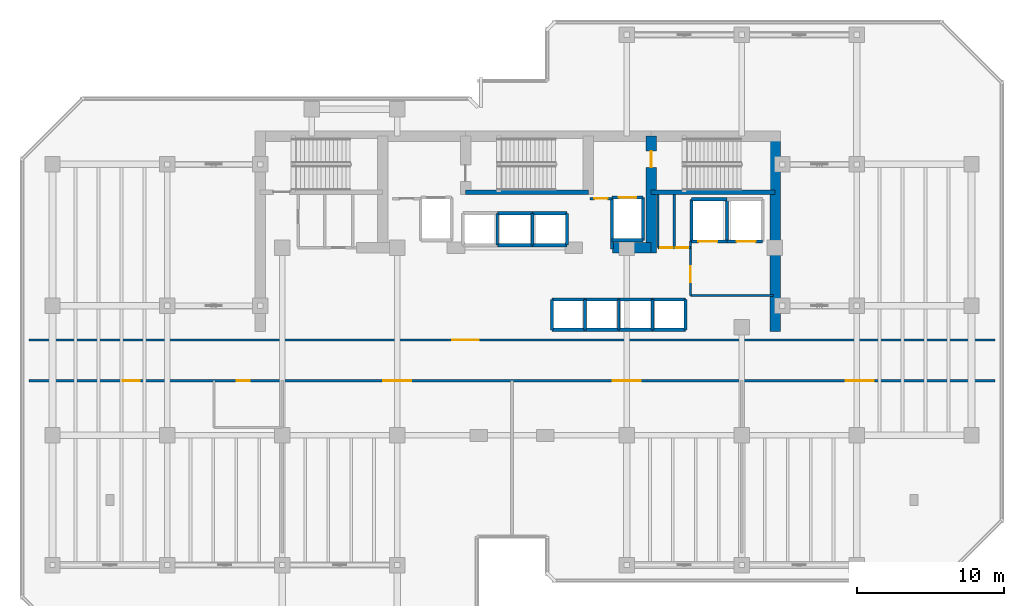
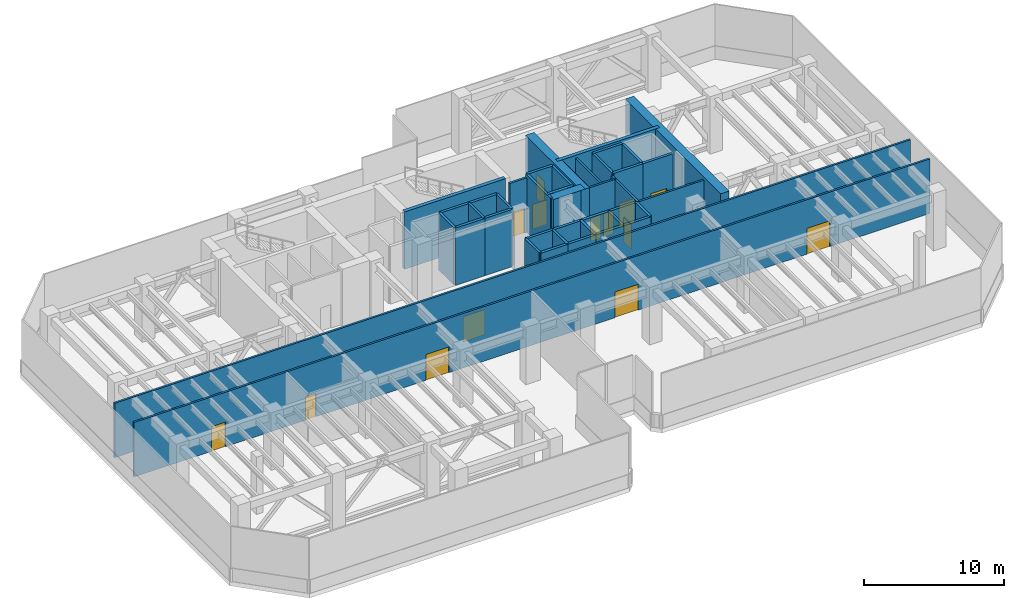
# One storey, part 5 of 10: 42 walls, 14 doors, 14 openings.
"""IFC4 building model written with IfcOpenShell, lengths in metres."""

from ifc_helpers import new_model, si_unit, direction, frame, frame_2d, origin, place, context, subcontext, project, spatial, rectangle, extrude, material, layer, layer_set, type_object, element, fill, save


model = new_model("IFC4")

# Units and contexts
model_context = context("Model", 3, precision=1e-05, world=origin(), true_north=direction((0.0, 1.0)))
body_context = subcontext(model_context, "Body", "Model", "MODEL_VIEW")
ifc_project = project(units=[si_unit("LENGTHUNIT", "METRE"), si_unit("AREAUNIT", "SQUARE_METRE"), si_unit("VOLUMEUNIT", "CUBIC_METRE"), si_unit("PLANEANGLEUNIT", "RADIAN"), si_unit("MASSUNIT", "GRAM", prefix="KILO")], contexts=[model_context])

# Site, building, storey
site_placement = place(None, origin())
site = spatial("IfcSite", under=ifc_project, at=site_placement, CompositionType="ELEMENT")
building_placement = place(site_placement, origin())
building = spatial("IfcBuilding", under=site, at=building_placement, Name="Kestravale Grand Hotel", CompositionType="ELEMENT")
storey_placement = place(building_placement, frame((0.0, 0.0, 184.0)))
storey = spatial("IfcBuildingStorey", under=building, at=storey_placement, Name="L46", CompositionType="ELEMENT", Elevation=184.0)

# Walls
ifc_material_1 = material(Name="Concrete f'c 60 MPa", Category="concrete")
ifc_layer_1 = layer(ifc_material_1, 0.699951171875)
ifc_layer_set_1 = layer_set([ifc_layer_1], Name="EW-CORE-700")
wall_type_1 = type_object("IfcWallType", Name="EW-CORE-700", PredefinedType="SHEAR", material=ifc_layer_set_1)
wall_1_placement = place(storey_placement, frame((56.8701171875, 27.050048828125, 0.0), z_axis=(0.0, 0.0, 1.0), x_axis=(0.0, 1.0, 0.0)))
element("IfcWall", 1, at=wall_1_placement, inside=storey, type_object=wall_type_1, Name="L46 core shear wall E1", PredefinedType="SHEAR", context=body_context, shape_type="SweptSolid", body=[
    extrude(rectangle(XDim=13.619873046875, YDim=0.699951171875, at=frame_2d((6.81005859375, 0.0))), origin(), (0.0, 0.0, 1.0), 5.0),
])
wall_2_placement = place(storey_placement, frame((45.81005859375, 32.75, 0.0), z_axis=(0.0, 0.0, 1.0), x_axis=(1.0, 0.0, 0.0)))
element("IfcWall", 2, at=wall_2_placement, inside=storey, type_object=wall_type_1, Name="L46 core shear wall S2", PredefinedType="SHEAR", context=body_context, shape_type="SweptSolid", body=[
    extrude(rectangle(XDim=2.639892578125, YDim=0.699951171875, at=frame_2d((1.31982421875, 0.0))), origin(), (0.0, 0.0, 1.0), 5.0),
])

# Wall, opening, door
wall_3_placement = place(storey_placement, frame((48.449951171875, 32.39990234375, 0.0), z_axis=(0.0, 0.0, 1.0), x_axis=(0.0, 1.0, 0.0)))
wall_3 = element("IfcWall", 3, at=wall_3_placement, inside=storey, type_object=wall_type_1, Name="L46 core shear wall X4", PredefinedType="SHEAR", context=body_context, shape_type="SweptSolid", body=[
    extrude(rectangle(XDim=7.920166015625, YDim=0.699951171875, at=frame_2d((3.9599609375, 0.0))), origin(), (0.0, 0.0, 1.0), 5.0),
])
opening_1_placement = place(wall_3_placement, frame((5.800048828125, 0.0, 0.0)))
opening_1 = element("IfcOpeningElement", 4, at=opening_1_placement, cuts=wall_3, Name="Opening D-ST-1100", PredefinedType="OPENING", context=body_context, shape_type="SweptSolid", body=[
    extrude(rectangle(XDim=1.10009765625, YDim=2.14990234375, at=frame_2d((0.550048828125, 1.074951171875))), frame((0.0, 0.35986328125, 0.0), z_axis=(0.0, -1.0, 0.0), x_axis=(1.0, 0.0, 0.0)), (0.0, 0.0, 1.0), 0.719970703125),
])
ifc_material_2 = material(Name="Galvanised 90-minute fire-rated steel stair door", Category="steel")
door_type_1 = type_object("IfcDoorType", Name="D-ST-1100", OperationType="NOTDEFINED", PredefinedType="DOOR", material=ifc_material_2)
door_1_placement = place(opening_1_placement, origin())
door_1 = element("IfcDoor", 5, at=door_1_placement, inside=storey, type_object=door_type_1, Name="L46 Stair ST-3 FSAE fire door", OperationType="SINGLE_SWING_RIGHT", OverallHeight=2.14990234375, OverallWidth=1.10009765625, PredefinedType="DOOR", context=body_context, shape_type="SweptSolid", body=[
    extrude(rectangle(XDim=1.10009765625, YDim=2.14990234375, at=frame_2d((0.550048828125, 1.074951171875))), frame((0.0, 0.02490234375, 0.0), z_axis=(0.0, -1.0, 0.0), x_axis=(1.0, 0.0, 0.0)), (0.0, 0.0, 1.0), 0.050048828125),
])
fill(opening_1, door_1)

# Walls
ifc_material_3 = material(Name="Concrete f'c 45 MPa", Category="concrete")
ifc_layer_2 = layer(ifc_material_3, 0.300048828125)
ifc_layer_set_2 = layer_set([ifc_layer_2], Name="EW-STAIR-300")
wall_type_2 = type_object("IfcWallType", Name="EW-STAIR-300", PredefinedType="SHEAR", material=ifc_layer_set_2)
wall_4_placement = place(storey_placement, frame((35.85009765625, 36.52001953125, 0.0), z_axis=(0.0, 0.0, 1.0), x_axis=(1.0, 0.0, 0.0)))
element("IfcWall", 6, at=wall_4_placement, inside=storey, type_object=wall_type_2, Name="L46 stair enclosure shear wall SST2", PredefinedType="SHEAR", context=body_context, shape_type="SweptSolid", body=[
    extrude(rectangle(XDim=8.329833984375, YDim=0.300048828125, at=frame_2d((4.1650390625, 0.0))), origin(), (0.0, 0.0, 1.0), 5.0),
])
wall_5_placement = place(storey_placement, frame((48.449951171875, 36.52001953125, 0.0), z_axis=(0.0, 0.0, 1.0), x_axis=(1.0, 0.0, 0.0)))
element("IfcWall", 7, at=wall_5_placement, inside=storey, type_object=wall_type_2, Name="L46 stair enclosure shear wall SST3", PredefinedType="SHEAR", context=body_context, shape_type="SweptSolid", body=[
    extrude(rectangle(XDim=8.420166015625, YDim=0.300048828125, at=frame_2d((4.2099609375, 0.0))), origin(), (0.0, 0.0, 1.0), 5.0),
])

# Wall, opening, door
ifc_material_4 = material(Name="Acoustic fire-rated gypsum board partition", Category="other")
ifc_layer_3 = layer(ifc_material_4, 0.159912109375)
ifc_layer_set_3 = layer_set([ifc_layer_3], Name="IW-CORR-160")
wall_type_3 = type_object("IfcWallType", Name="IW-CORR-160", PredefinedType="PARTITIONING", material=ifc_layer_set_3)
wall_6_placement = place(storey_placement, frame((51.1201171875, 29.5, 0.0), z_axis=(0.0, 0.0, 1.0), x_axis=(0.0, 1.0, 0.0)))
wall_6 = element("IfcWall", 8, at=wall_6_placement, inside=storey, type_object=wall_type_3, Name="W-L46-SVCLOB-W", PredefinedType="PARTITIONING", context=body_context, shape_type="SweptSolid", body=[
    extrude(rectangle(XDim=3.699951171875, YDim=0.159912109375, at=frame_2d((1.85009765625, 0.0))), origin(), (0.0, 0.0, 1.0), 4.75),
])
opening_2_placement = place(wall_6_placement, frame((0.89990234375, 0.0, 0.0)))
opening_2 = element("IfcOpeningElement", 9, at=opening_2_placement, cuts=wall_6, Name="Opening D-CORR-1100", PredefinedType="OPENING", context=body_context, shape_type="SweptSolid", body=[
    extrude(rectangle(XDim=1.10009765625, YDim=2.14990234375, at=frame_2d((0.550048828125, 1.074951171875))), frame((0.0, 0.08984375, 0.0), z_axis=(0.0, -1.0, 0.0), x_axis=(1.0, 0.0, 0.0)), (0.0, 0.0, 1.0), 0.179931640625),
])
ifc_material_5 = material(Name="Single-leaf service vestibule fire door", Category="steel")
door_type_2 = type_object("IfcDoorType", Name="D-CORR-1100", OperationType="NOTDEFINED", PredefinedType="DOOR", material=ifc_material_5)
door_2_placement = place(opening_2_placement, origin())
door_2 = element("IfcDoor", 10, at=door_2_placement, inside=storey, type_object=door_type_2, Name="L46 service lift lobby door", OperationType="SINGLE_SWING_LEFT", OverallHeight=2.14990234375, OverallWidth=1.10009765625, PredefinedType="DOOR", context=body_context, shape_type="SweptSolid", body=[
    extrude(rectangle(XDim=1.10009765625, YDim=2.14990234375, at=frame_2d((0.550048828125, 1.074951171875))), frame((0.0, 0.02490234375, 0.0), z_axis=(0.0, -1.0, 0.0), x_axis=(1.0, 0.0, 0.0)), (0.0, 0.0, 1.0), 0.050048828125),
])
fill(opening_2, door_2)

# Wall
wall_7_placement = place(storey_placement, frame((51.1201171875, 29.5, 0.0), z_axis=(0.0, 0.0, 1.0), x_axis=(1.0, 0.0, 0.0)))
element("IfcWall", 11, at=wall_7_placement, inside=storey, type_object=wall_type_3, Name="L46 service lift lobby wall", PredefinedType="PARTITIONING", context=body_context, shape_type="SweptSolid", body=[
    extrude(rectangle(XDim=5.6298828125, YDim=0.159912109375, at=frame_2d((2.81494140625, 0.0))), origin(), (0.0, 0.0, 1.0), 4.75),
])

# Wall, openings, doors
wall_8_placement = place(storey_placement, frame((48.919921875, 32.75, 0.0), z_axis=(0.0, 0.0, 1.0), x_axis=(1.0, 0.0, 0.0)))
wall_8 = element("IfcWall", 12, at=wall_8_placement, inside=storey, type_object=wall_type_3, Name="W-L46-CES", PredefinedType="PARTITIONING", context=body_context, shape_type="SweptSolid", body=[
    extrude(rectangle(XDim=2.2001953125, YDim=0.159912109375, at=frame_2d((1.10009765625, 0.0))), origin(), (0.0, 0.0, 1.0), 4.75),
])
opening_3_placement = place(wall_8_placement, frame((0.139892578125, 0.0, 0.0)))
opening_3 = element("IfcOpeningElement", 13, at=opening_3_placement, cuts=wall_8, Name="Opening D-SH-860", PredefinedType="OPENING", context=body_context, shape_type="SweptSolid", body=[
    extrude(rectangle(XDim=0.860107421875, YDim=2.050048828125, at=frame_2d((0.43017578125, 1.02490234375))), frame((0.0, 0.08984375, 0.0), z_axis=(0.0, -1.0, 0.0), x_axis=(1.0, 0.0, 0.0)), (0.0, 0.0, 1.0), 0.179931640625),
])
opening_4_placement = place(wall_8_placement, frame((1.199951171875, 0.0, 0.0)))
opening_4 = element("IfcOpeningElement", 14, at=opening_4_placement, cuts=wall_8, Name="Opening D-SH-860", PredefinedType="OPENING", context=body_context, shape_type="SweptSolid", body=[
    extrude(rectangle(XDim=0.860107421875, YDim=2.050048828125, at=frame_2d((0.43017578125, 1.02490234375))), frame((0.0, 0.08984375, 0.0), z_axis=(0.0, -1.0, 0.0), x_axis=(1.0, 0.0, 0.0)), (0.0, 0.0, 1.0), 0.179931640625),
])
ifc_material_6 = material(Name="Galvanised 90-minute riser fire door", Category="steel")
door_type_3 = type_object("IfcDoorType", Name="D-SH-860", OperationType="NOTDEFINED", PredefinedType="DOOR", material=ifc_material_6)
door_3_placement = place(opening_3_placement, origin())
door_3 = element("IfcDoor", 15, at=door_3_placement, inside=storey, type_object=door_type_3, Name="L46 CSTO1 door", OperationType="SINGLE_SWING_LEFT", OverallHeight=2.050048828125, OverallWidth=0.860107421875, PredefinedType="DOOR", context=body_context, shape_type="SweptSolid", body=[
    extrude(rectangle(XDim=0.860107421875, YDim=2.050048828125, at=frame_2d((0.43017578125, 1.02490234375))), frame((0.0, 0.02490234375, 0.0), z_axis=(0.0, -1.0, 0.0), x_axis=(1.0, 0.0, 0.0)), (0.0, 0.0, 1.0), 0.050048828125),
])
fill(opening_3, door_3)
door_4_placement = place(opening_4_placement, origin())
door_4 = element("IfcDoor", 16, at=door_4_placement, inside=storey, type_object=door_type_3, Name="L46 CSTO2 door", OperationType="SINGLE_SWING_RIGHT", OverallHeight=2.050048828125, OverallWidth=0.860107421875, PredefinedType="DOOR", context=body_context, shape_type="SweptSolid", body=[
    extrude(rectangle(XDim=0.860107421875, YDim=2.050048828125, at=frame_2d((0.43017578125, 1.02490234375))), frame((0.0, 0.02490234375, 0.0), z_axis=(0.0, -1.0, 0.0), x_axis=(1.0, 0.0, 0.0)), (0.0, 0.0, 1.0), 0.050048828125),
])
fill(opening_4, door_4)

wall_9_placement = place(storey_placement, frame((6.199951171875, 23.719970703125, 0.0), z_axis=(0.0, 0.0, 1.0), x_axis=(1.0, 0.0, 0.0)))
wall_9 = element("IfcWall", 17, at=wall_9_placement, inside=storey, type_object=wall_type_3, Name="W-L46-PC-S", PredefinedType="PARTITIONING", context=body_context, shape_type="SweptSolid", body=[
    extrude(rectangle(XDim=65.60009765625, YDim=0.159912109375, at=frame_2d((32.800048828125, 0.0))), origin(), (0.0, 0.0, 1.0), 4.75),
])
opening_5_placement = place(wall_9_placement, frame((14.110107421875, 0.0, 0.0)))
opening_5 = element("IfcOpeningElement", 18, at=opening_5_placement, cuts=wall_9, Name="Opening D-BATH-880", PredefinedType="OPENING", context=body_context, shape_type="SweptSolid", body=[
    extrude(rectangle(XDim=0.8798828125, YDim=2.050048828125, at=frame_2d((0.43994140625, 1.02490234375))), frame((0.0, 0.08984375, 0.0), z_axis=(0.0, -1.0, 0.0), x_axis=(1.0, 0.0, 0.0)), (0.0, 0.0, 1.0), 0.179931640625),
])
opening_6_placement = place(wall_9_placement, frame((6.375, 0.0, 0.0)))
opening_6 = element("IfcOpeningElement", 19, at=opening_6_placement, cuts=wall_9, Name="Opening D-FSAE-1150", PredefinedType="OPENING", context=body_context, shape_type="SweptSolid", body=[
    extrude(rectangle(XDim=1.14990234375, YDim=2.14990234375, at=frame_2d((0.574951171875, 1.074951171875))), frame((0.0, 0.08984375, 0.0), z_axis=(0.0, -1.0, 0.0), x_axis=(1.0, 0.0, 0.0)), (0.0, 0.0, 1.0), 0.179931640625),
])
opening_7_placement = place(wall_9_placement, frame((24.050048828125, 0.0, 0.0)))
opening_7 = element("IfcOpeningElement", 20, at=opening_7_placement, cuts=wall_9, Name="Opening D-PLT-1900", PredefinedType="OPENING", context=body_context, shape_type="SweptSolid", body=[
    extrude(rectangle(XDim=1.89990234375, YDim=2.25, at=frame_2d((0.949951171875, 1.125))), frame((0.0, 0.08984375, 0.0), z_axis=(0.0, -1.0, 0.0), x_axis=(1.0, 0.0, 0.0)), (0.0, 0.0, 1.0), 0.179931640625),
])
opening_8_placement = place(wall_9_placement, frame((39.64990234375, 0.0, 0.0)))
opening_8 = element("IfcOpeningElement", 21, at=opening_8_placement, cuts=wall_9, Name="Opening D-PLT-1900", PredefinedType="OPENING", context=body_context, shape_type="SweptSolid", body=[
    extrude(rectangle(XDim=1.89990234375, YDim=2.25, at=frame_2d((0.949951171875, 1.125))), frame((0.0, 0.08984375, 0.0), z_axis=(0.0, -1.0, 0.0), x_axis=(1.0, 0.0, 0.0)), (0.0, 0.0, 1.0), 0.179931640625),
])
opening_9_placement = place(wall_9_placement, frame((55.449951171875, 0.0, 0.0)))
opening_9 = element("IfcOpeningElement", 22, at=opening_9_placement, cuts=wall_9, Name="Opening D-PLT-1900", PredefinedType="OPENING", context=body_context, shape_type="SweptSolid", body=[
    extrude(rectangle(XDim=1.89990234375, YDim=2.25, at=frame_2d((0.949951171875, 1.125))), frame((0.0, 0.08984375, 0.0), z_axis=(0.0, -1.0, 0.0), x_axis=(1.0, 0.0, 0.0)), (0.0, 0.0, 1.0), 0.179931640625),
])
ifc_material_7 = material(Name="Moisture-sealed walnut en-suite bathroom door", Category="wood")
door_type_4 = type_object("IfcDoorType", Name="D-BATH-880", OperationType="NOTDEFINED", PredefinedType="DOOR", material=ifc_material_7)
door_5_placement = place(opening_5_placement, origin())
door_5 = element("IfcDoor", 23, at=door_5_placement, inside=storey, type_object=door_type_4, Name="D-L46-RWC", OperationType="SINGLE_SWING_RIGHT", OverallHeight=2.050048828125, OverallWidth=0.8798828125, PredefinedType="DOOR", context=body_context, shape_type="SweptSolid", body=[
    extrude(rectangle(XDim=0.8798828125, YDim=2.050048828125, at=frame_2d((0.43994140625, 1.02490234375))), frame((0.0, 0.02490234375, 0.0), z_axis=(0.0, -1.0, 0.0), x_axis=(1.0, 0.0, 0.0)), (0.0, 0.0, 1.0), 0.050048828125),
])
fill(opening_5, door_5)
ifc_material_8 = material(Name="Smoke-gasketed FSAE lobby fire door", Category="steel")
door_type_5 = type_object("IfcDoorType", Name="D-FSAE-1150", OperationType="NOTDEFINED", PredefinedType="DOOR", material=ifc_material_8)
door_6_placement = place(opening_6_placement, origin())
door_6 = element("IfcDoor", 24, at=door_6_placement, inside=storey, type_object=door_type_5, Name="D-L46-REFUGE", OperationType="SINGLE_SWING_LEFT", OverallHeight=2.14990234375, OverallWidth=1.14990234375, PredefinedType="DOOR", context=body_context, shape_type="SweptSolid", body=[
    extrude(rectangle(XDim=1.14990234375, YDim=2.14990234375, at=frame_2d((0.574951171875, 1.074951171875))), frame((0.0, 0.02490234375, 0.0), z_axis=(0.0, -1.0, 0.0), x_axis=(1.0, 0.0, 0.0)), (0.0, 0.0, 1.0), 0.050048828125),
])
fill(opening_6, door_6)
ifc_material_9 = material(Name="Heavy-duty double plant room fire door", Category="steel")
door_type_6 = type_object("IfcDoorType", Name="D-PLT-1900", OperationType="NOTDEFINED", PredefinedType="DOOR", material=ifc_material_9)
door_7_placement = place(opening_7_placement, origin())
door_7 = element("IfcDoor", 25, at=door_7_placement, inside=storey, type_object=door_type_6, Name="D-L46-AHU", OperationType="DOUBLE_DOOR_SINGLE_SWING", OverallHeight=2.25, OverallWidth=1.89990234375, PredefinedType="DOOR", context=body_context, shape_type="SweptSolid", body=[
    extrude(rectangle(XDim=1.89990234375, YDim=2.25, at=frame_2d((0.949951171875, 1.125))), frame((0.0, 0.02490234375, 0.0), z_axis=(0.0, -1.0, 0.0), x_axis=(1.0, 0.0, 0.0)), (0.0, 0.0, 1.0), 0.050048828125),
])
fill(opening_7, door_7)
door_8_placement = place(opening_8_placement, origin())
door_8 = element("IfcDoor", 26, at=door_8_placement, inside=storey, type_object=door_type_6, Name="D-L46-HEX", OperationType="DOUBLE_DOOR_SINGLE_SWING", OverallHeight=2.25, OverallWidth=1.89990234375, PredefinedType="DOOR", context=body_context, shape_type="SweptSolid", body=[
    extrude(rectangle(XDim=1.89990234375, YDim=2.25, at=frame_2d((0.949951171875, 1.125))), frame((0.0, 0.02490234375, 0.0), z_axis=(0.0, -1.0, 0.0), x_axis=(1.0, 0.0, 0.0)), (0.0, 0.0, 1.0), 0.050048828125),
])
fill(opening_8, door_8)
door_9_placement = place(opening_9_placement, origin())
door_9 = element("IfcDoor", 27, at=door_9_placement, inside=storey, type_object=door_type_6, Name="D-L46-SUB", OperationType="DOUBLE_DOOR_SINGLE_SWING", OverallHeight=2.25, OverallWidth=1.89990234375, PredefinedType="DOOR", context=body_context, shape_type="SweptSolid", body=[
    extrude(rectangle(XDim=1.89990234375, YDim=2.25, at=frame_2d((0.949951171875, 1.125))), frame((0.0, 0.02490234375, 0.0), z_axis=(0.0, -1.0, 0.0), x_axis=(1.0, 0.0, 0.0)), (0.0, 0.0, 1.0), 0.050048828125),
])
fill(opening_9, door_9)

# Wall, opening, door
wall_10_placement = place(storey_placement, frame((6.199951171875, 26.47998046875, 0.0), z_axis=(0.0, 0.0, 1.0), x_axis=(1.0, 0.0, 0.0)))
wall_10 = element("IfcWall", 28, at=wall_10_placement, inside=storey, type_object=wall_type_3, Name="W-L46-PC-N", PredefinedType="PARTITIONING", context=body_context, shape_type="SweptSolid", body=[
    extrude(rectangle(XDim=65.60009765625, YDim=0.159912109375, at=frame_2d((32.800048828125, 0.0))), origin(), (0.0, 0.0, 1.0), 4.75),
])
opening_10_placement = place(wall_10_placement, frame((28.75390625, 0.0, 0.0)))
opening_10 = element("IfcOpeningElement", 29, at=opening_10_placement, cuts=wall_10, Name="Opening D-CORR-1800", PredefinedType="OPENING", context=body_context, shape_type="SweptSolid", body=[
    extrude(rectangle(XDim=1.800048828125, YDim=2.199951171875, at=frame_2d((0.89990234375, 1.10009765625))), frame((0.0, 0.08984375, 0.0), z_axis=(0.0, -1.0, 0.0), x_axis=(1.0, 0.0, 0.0)), (0.0, 0.0, 1.0), 0.179931640625),
])
ifc_material_10 = material(Name="Double-leaf glazed bronze acoustic corridor fire door", Category="aluminium")
door_type_7 = type_object("IfcDoorType", Name="D-CORR-1800", OperationType="NOTDEFINED", PredefinedType="DOOR", material=ifc_material_10)
door_10_placement = place(opening_10_placement, origin())
door_10 = element("IfcDoor", 30, at=door_10_placement, inside=storey, type_object=door_type_7, Name="D-L46-PC-LFT", OperationType="DOUBLE_DOOR_SINGLE_SWING", OverallHeight=2.199951171875, OverallWidth=1.800048828125, PredefinedType="DOOR", context=body_context, shape_type="SweptSolid", body=[
    extrude(rectangle(XDim=1.800048828125, YDim=2.199951171875, at=frame_2d((0.89990234375, 1.10009765625))), frame((0.0, 0.02490234375, 0.0), z_axis=(0.0, -1.0, 0.0), x_axis=(1.0, 0.0, 0.0)), (0.0, 0.0, 1.0), 0.050048828125),
])
fill(opening_10, door_10)

ifc_material_11 = material(Name="Fire-rated gypsum board on steel studs with mineral wool", Category="steel")
ifc_layer_4 = layer(ifc_material_11, 0.179931640625)
ifc_layer_set_4 = layer_set([ifc_layer_4], Name="IW-FSAE-180")
wall_type_4 = type_object("IfcWallType", Name="IW-FSAE-180", PredefinedType="PARTITIONING", material=ifc_layer_set_4)
wall_11_placement = place(storey_placement, frame((44.300048828125, 36.080078125, 0.0), z_axis=(0.0, 0.0, 1.0), x_axis=(1.0, 0.0, 0.0)))
wall_11 = element("IfcWall", 31, at=wall_11_placement, inside=storey, type_object=wall_type_4, Name="L46 FSAE Lobby 2 smoke barrier", PredefinedType="PARTITIONING", context=body_context, shape_type="SweptSolid", body=[
    extrude(rectangle(XDim=1.5, YDim=0.179931640625, at=frame_2d((0.75, 0.0))), origin(), (0.0, 0.0, 1.0), 4.75),
])
opening_11_placement = place(wall_11_placement, frame((0.300048828125, 0.0, 0.0)))
opening_11 = element("IfcOpeningElement", 32, at=opening_11_placement, cuts=wall_11, Name="Opening D-FSAE-1000", PredefinedType="OPENING", context=body_context, shape_type="SweptSolid", body=[
    extrude(rectangle(XDim=0.89990234375, YDim=2.14990234375, at=frame_2d((0.449951171875, 1.074951171875))), frame((0.0, 0.099853515625, 0.0), z_axis=(0.0, -1.0, 0.0), x_axis=(1.0, 0.0, 0.0)), (0.0, 0.0, 1.0), 0.199951171875),
])
ifc_material_12 = material(Name="Smoke-gasketed FSAE lobby fire door", Category="steel")
door_type_8 = type_object("IfcDoorType", Name="D-FSAE-1000", OperationType="NOTDEFINED", PredefinedType="DOOR", material=ifc_material_12)
door_11_placement = place(opening_11_placement, origin())
door_11 = element("IfcDoor", 33, at=door_11_placement, inside=storey, type_object=door_type_8, Name="L46 FSAE Lobby 2 fire door", OperationType="SINGLE_SWING_LEFT", OverallHeight=2.14990234375, OverallWidth=0.89990234375, PredefinedType="DOOR", context=body_context, shape_type="SweptSolid", body=[
    extrude(rectangle(XDim=0.89990234375, YDim=2.14990234375, at=frame_2d((0.449951171875, 1.074951171875))), frame((0.0, 0.02490234375, 0.0), z_axis=(0.0, -1.0, 0.0), x_axis=(1.0, 0.0, 0.0)), (0.0, 0.0, 1.0), 0.050048828125),
])
fill(opening_11, door_11)

# Walls
ifc_material_13 = material(Name="Concrete f'c 45 MPa", Category="concrete")
ifc_layer_5 = layer(ifc_material_13, 0.199951171875)
ifc_layer_set_5 = layer_set([ifc_layer_5], Name="IW-SHAFT-200")
wall_type_5 = type_object("IfcWallType", Name="IW-SHAFT-200", PredefinedType="SHEAR", material=ifc_layer_set_5)
for number, where, z_axis, x_axis, name in (
    (34, (41.705078125, 27.169921875, 0.0), (0.0, 0.0, 1.0), (0.0, 1.0, 0.0), "L46 PL-M1 west shaft wall"),
    (35, (43.949951171875, 27.169921875, 0.0), (0.0, 0.0, 1.0), (0.0, 1.0, 0.0), "L46 PL-M2 west shaft wall"),
    (36, (46.25, 27.169921875, 0.0), (0.0, 0.0, 1.0), (0.0, 1.0, 0.0), "L46 PL-M3 west shaft wall"),
    (37, (48.550048828125, 27.169921875, 0.0), (0.0, 0.0, 1.0), (0.0, 1.0, 0.0), "L46 PL-M4 west shaft wall"),
    (38, (50.794921875, 27.169921875, 0.0), (0.0, 0.0, 1.0), (0.0, 1.0, 0.0), "L46 PL-M4 east shaft wall"),
):
    element("IfcWall", number, at=place(storey_placement, frame(where, z_axis=z_axis, x_axis=x_axis)), inside=storey, type_object=wall_type_5, Name=name, PredefinedType="SHEAR", context=body_context, shape_type="SweptSolid", body=[
        extrude(rectangle(XDim=2.06005859375, YDim=0.199951171875, at=frame_2d((1.030029296875, 0.0))), origin(), (0.0, 0.0, 1.0), 5.0),
    ])
for number, where, z_axis, x_axis, name in (
    (39, (38.0, 32.919921875, 0.0), (0.0, 0.0, 1.0), (0.0, 1.0, 0.0), "L46 PL-X2 west shaft wall"),
    (40, (40.39990234375, 32.919921875, 0.0), (0.0, 0.0, 1.0), (0.0, 1.0, 0.0), "L46 PL-X3 west shaft wall"),
    (41, (42.719970703125, 32.919921875, 0.0), (0.0, 0.0, 1.0), (0.0, 1.0, 0.0), "L46 PL-X3 east shaft wall"),
):
    element("IfcWall", number, at=place(storey_placement, frame(where, z_axis=z_axis, x_axis=x_axis)), inside=storey, type_object=wall_type_5, Name=name, PredefinedType="SHEAR", context=body_context, shape_type="SweptSolid", body=[
        extrude(rectangle(XDim=2.16015625, YDim=0.199951171875, at=frame_2d((1.080078125, 0.0))), origin(), (0.0, 0.0, 1.0), 5.0),
    ])
for number, where, z_axis, x_axis, name in (
    (42, (51.179931640625, 33.169921875, 0.0), (0.0, 0.0, 1.0), (0.0, 1.0, 0.0), "L46 SL-1 west shaft wall"),
    (43, (53.60009765625, 33.169921875, 0.0), (0.0, 0.0, 1.0), (0.0, 1.0, 0.0), "L46 SL-2 west shaft wall"),
):
    element("IfcWall", number, at=place(storey_placement, frame(where, z_axis=z_axis, x_axis=x_axis)), inside=storey, type_object=wall_type_5, Name=name, PredefinedType="SHEAR", context=body_context, shape_type="SweptSolid", body=[
        extrude(rectangle(XDim=2.860107421875, YDim=0.199951171875, at=frame_2d((1.43017578125, 0.0))), origin(), (0.0, 0.0, 1.0), 5.0),
    ])
wall_12_placement = place(storey_placement, frame((45.804931640625, 32.64990234375, 0.0), z_axis=(0.0, 0.0, 1.0), x_axis=(0.0, 1.0, 0.0)))
element("IfcWall", 44, at=wall_12_placement, inside=storey, type_object=wall_type_5, Name="L46 FL-2 west shaft wall", PredefinedType="SHEAR", context=body_context, shape_type="SweptSolid", body=[
    extrude(rectangle(XDim=3.505126953125, YDim=0.199951171875, at=frame_2d((1.75244140625, 0.0))), origin(), (0.0, 0.0, 1.0), 5.0),
])
wall_13_placement = place(storey_placement, frame((47.89501953125, 33.2451171875, 0.0), z_axis=(0.0, 0.0, 1.0), x_axis=(0.0, 1.0, 0.0)))
element("IfcWall", 45, at=wall_13_placement, inside=storey, type_object=wall_type_5, Name="L46 FL-2 east shaft wall", PredefinedType="SHEAR", context=body_context, shape_type="SweptSolid", body=[
    extrude(rectangle(XDim=2.909912109375, YDim=0.199951171875, at=frame_2d((1.455078125, 0.0))), origin(), (0.0, 0.0, 1.0), 5.0),
])
ifc_material_14 = material(Name="Concrete f'c 45 MPa", Category="concrete")
ifc_layer_6 = layer(ifc_material_14, 0.219970703125)
ifc_layer_set_6 = layer_set([ifc_layer_6], Name="IW-SHAFT-220")
wall_type_6 = type_object("IfcWallType", Name="IW-SHAFT-220", PredefinedType="SHEAR", material=ifc_layer_set_6)
for number, where, z_axis, x_axis, name in (
    (46, (41.705078125, 29.22998046875, 0.0), (0.0, 0.0, 1.0), (1.0, 0.0, 0.0), "L46 PL-M1 north shaft wall"),
    (47, (41.705078125, 27.169921875, 0.0), (0.0, 0.0, 1.0), (1.0, 0.0, 0.0), "L46 PL-M1 south shaft wall"),
):
    element("IfcWall", number, at=place(storey_placement, frame(where, z_axis=z_axis, x_axis=x_axis)), inside=storey, type_object=wall_type_6, Name=name, PredefinedType="SHEAR", context=body_context, shape_type="SweptSolid", body=[
        extrude(rectangle(XDim=2.244873046875, YDim=0.219970703125, at=frame_2d((1.12255859375, 0.0))), origin(), (0.0, 0.0, 1.0), 5.0),
    ])
for number, where, z_axis, x_axis, name in (
    (48, (43.949951171875, 29.22998046875, 0.0), (0.0, 0.0, 1.0), (1.0, 0.0, 0.0), "L46 PL-M2 north shaft wall"),
    (49, (43.949951171875, 27.169921875, 0.0), (0.0, 0.0, 1.0), (1.0, 0.0, 0.0), "L46 PL-M2 south shaft wall"),
    (50, (46.25, 29.22998046875, 0.0), (0.0, 0.0, 1.0), (1.0, 0.0, 0.0), "L46 PL-M3 north shaft wall"),
    (51, (46.25, 27.169921875, 0.0), (0.0, 0.0, 1.0), (1.0, 0.0, 0.0), "L46 PL-M3 south shaft wall"),
):
    element("IfcWall", number, at=place(storey_placement, frame(where, z_axis=z_axis, x_axis=x_axis)), inside=storey, type_object=wall_type_6, Name=name, PredefinedType="SHEAR", context=body_context, shape_type="SweptSolid", body=[
        extrude(rectangle(XDim=2.300048828125, YDim=0.219970703125, at=frame_2d((1.14990234375, 0.0))), origin(), (0.0, 0.0, 1.0), 5.0),
    ])
for number, where, z_axis, x_axis, name in (
    (52, (48.550048828125, 29.22998046875, 0.0), (0.0, 0.0, 1.0), (1.0, 0.0, 0.0), "L46 PL-M4 north shaft wall"),
    (53, (48.550048828125, 27.169921875, 0.0), (0.0, 0.0, 1.0), (1.0, 0.0, 0.0), "L46 PL-M4 south shaft wall"),
):
    element("IfcWall", number, at=place(storey_placement, frame(where, z_axis=z_axis, x_axis=x_axis)), inside=storey, type_object=wall_type_6, Name=name, PredefinedType="SHEAR", context=body_context, shape_type="SweptSolid", body=[
        extrude(rectangle(XDim=2.244873046875, YDim=0.219970703125, at=frame_2d((1.12255859375, 0.0))), origin(), (0.0, 0.0, 1.0), 5.0),
    ])
for number, where, z_axis, x_axis, name in (
    (54, (38.0, 35.080078125, 0.0), (0.0, 0.0, 1.0), (1.0, 0.0, 0.0), "L46 PL-X2 north shaft wall"),
    (55, (38.0, 32.919921875, 0.0), (0.0, 0.0, 1.0), (1.0, 0.0, 0.0), "L46 PL-X2 south shaft wall"),
):
    element("IfcWall", number, at=place(storey_placement, frame(where, z_axis=z_axis, x_axis=x_axis)), inside=storey, type_object=wall_type_6, Name=name, PredefinedType="SHEAR", context=body_context, shape_type="SweptSolid", body=[
        extrude(rectangle(XDim=2.39990234375, YDim=0.219970703125, at=frame_2d((1.199951171875, 0.0))), origin(), (0.0, 0.0, 1.0), 5.0),
    ])
for number, where, z_axis, x_axis, name in (
    (56, (40.39990234375, 35.080078125, 0.0), (0.0, 0.0, 1.0), (1.0, 0.0, 0.0), "L46 PL-X3 north shaft wall"),
    (57, (40.39990234375, 32.919921875, 0.0), (0.0, 0.0, 1.0), (1.0, 0.0, 0.0), "L46 PL-X3 south shaft wall"),
):
    element("IfcWall", number, at=place(storey_placement, frame(where, z_axis=z_axis, x_axis=x_axis)), inside=storey, type_object=wall_type_6, Name=name, PredefinedType="SHEAR", context=body_context, shape_type="SweptSolid", body=[
        extrude(rectangle(XDim=2.320068359375, YDim=0.219970703125, at=frame_2d((1.16015625, 0.0))), origin(), (0.0, 0.0, 1.0), 5.0),
    ])
wall_14_placement = place(storey_placement, frame((51.179931640625, 36.030029296875, 0.0), z_axis=(0.0, 0.0, 1.0), x_axis=(1.0, 0.0, 0.0)))
element("IfcWall", 58, at=wall_14_placement, inside=storey, type_object=wall_type_6, Name="L46 SL-1 north shaft wall", PredefinedType="SHEAR", context=body_context, shape_type="SweptSolid", body=[
    extrude(rectangle(XDim=2.420166015625, YDim=0.219970703125, at=frame_2d((1.2099609375, 0.0))), origin(), (0.0, 0.0, 1.0), 5.0),
])

# Wall, opening, door
wall_15_placement = place(storey_placement, frame((51.179931640625, 33.169921875, 0.0), z_axis=(0.0, 0.0, 1.0), x_axis=(1.0, 0.0, 0.0)))
wall_15 = element("IfcWall", 59, at=wall_15_placement, inside=storey, type_object=wall_type_6, Name="L46 SL-1 south shaft wall", PredefinedType="SHEAR", context=body_context, shape_type="SweptSolid", body=[
    extrude(rectangle(XDim=2.420166015625, YDim=0.219970703125, at=frame_2d((1.2099609375, 0.0))), origin(), (0.0, 0.0, 1.0), 5.0),
])
opening_12_placement = place(wall_15_placement, frame((0.469970703125, 0.0, 0.0)))
opening_12 = element("IfcOpeningElement", 60, at=opening_12_placement, cuts=wall_15, Name="Opening LD-SVC-1300", PredefinedType="OPENING", context=body_context, shape_type="SweptSolid", body=[
    extrude(rectangle(XDim=1.300048828125, YDim=2.14990234375, at=frame_2d((0.64990234375, 1.074951171875))), frame((0.0, 0.119873046875, 0.0), z_axis=(0.0, -1.0, 0.0), x_axis=(1.0, 0.0, 0.0)), (0.0, 0.0, 1.0), 0.239990234375),
])
ifc_material_15 = material(Name="Heavy-duty service sliding elevator landing door", Category="steel")
door_type_9 = type_object("IfcDoorType", Name="LD-SVC-1300", OperationType="NOTDEFINED", PredefinedType="DOOR", material=ifc_material_15)
door_12_placement = place(opening_12_placement, origin())
door_12 = element("IfcDoor", 61, at=door_12_placement, inside=storey, type_object=door_type_9, Name="L46 SL-1 elevator landing sliding door", OperationType="DOUBLE_DOOR_SLIDING", OverallHeight=2.14990234375, OverallWidth=1.300048828125, PredefinedType="DOOR", context=body_context, shape_type="SweptSolid", body=[
    extrude(rectangle(XDim=1.300048828125, YDim=2.14990234375, at=frame_2d((0.64990234375, 1.074951171875))), frame((0.0, 0.02490234375, 0.0), z_axis=(0.0, -1.0, 0.0), x_axis=(1.0, 0.0, 0.0)), (0.0, 0.0, 1.0), 0.050048828125),
])
fill(opening_12, door_12)

wall_16_placement = place(storey_placement, frame((53.60009765625, 33.169921875, 0.0), z_axis=(0.0, 0.0, 1.0), x_axis=(1.0, 0.0, 0.0)))
wall_16 = element("IfcWall", 62, at=wall_16_placement, inside=storey, type_object=wall_type_6, Name="L46 SL-2 south shaft wall", PredefinedType="SHEAR", context=body_context, shape_type="SweptSolid", body=[
    extrude(rectangle(XDim=2.419921875, YDim=0.219970703125, at=frame_2d((1.2099609375, 0.0))), origin(), (0.0, 0.0, 1.0), 5.0),
])
opening_13_placement = place(wall_16_placement, frame((0.64990234375, 0.0, 0.0)))
opening_13 = element("IfcOpeningElement", 63, at=opening_13_placement, cuts=wall_16, Name="Opening LD-SVC-1300", PredefinedType="OPENING", context=body_context, shape_type="SweptSolid", body=[
    extrude(rectangle(XDim=1.300048828125, YDim=2.14990234375, at=frame_2d((0.64990234375, 1.074951171875))), frame((0.0, 0.119873046875, 0.0), z_axis=(0.0, -1.0, 0.0), x_axis=(1.0, 0.0, 0.0)), (0.0, 0.0, 1.0), 0.239990234375),
])
door_13_placement = place(opening_13_placement, origin())
door_13 = element("IfcDoor", 64, at=door_13_placement, inside=storey, type_object=door_type_9, Name="L46 SL-2 elevator landing sliding door", OperationType="DOUBLE_DOOR_SLIDING", OverallHeight=2.14990234375, OverallWidth=1.300048828125, PredefinedType="DOOR", context=body_context, shape_type="SweptSolid", body=[
    extrude(rectangle(XDim=1.300048828125, YDim=2.14990234375, at=frame_2d((0.64990234375, 1.074951171875))), frame((0.0, 0.02490234375, 0.0), z_axis=(0.0, -1.0, 0.0), x_axis=(1.0, 0.0, 0.0)), (0.0, 0.0, 1.0), 0.050048828125),
])
fill(opening_13, door_13)

wall_17_placement = place(storey_placement, frame((45.804931640625, 36.155029296875, 0.0), z_axis=(0.0, 0.0, 1.0), x_axis=(1.0, 0.0, 0.0)))
wall_17 = element("IfcWall", 65, at=wall_17_placement, inside=storey, type_object=wall_type_6, Name="L46 FL-2 north shaft wall", PredefinedType="SHEAR", context=body_context, shape_type="SweptSolid", body=[
    extrude(rectangle(XDim=2.090087890625, YDim=0.219970703125, at=frame_2d((1.044921875, 0.0))), origin(), (0.0, 0.0, 1.0), 5.0),
])
opening_14_placement = place(wall_17_placement, frame((0.445068359375, 0.0, 0.0)))
opening_14 = element("IfcOpeningElement", 66, at=opening_14_placement, cuts=wall_17, Name="Opening LD-FSAE-1200", PredefinedType="OPENING", context=body_context, shape_type="SweptSolid", body=[
    extrude(rectangle(XDim=1.199951171875, YDim=2.14990234375, at=frame_2d((0.60009765625, 1.074951171875))), frame((0.0, 0.119873046875, 0.0), z_axis=(0.0, -1.0, 0.0), x_axis=(1.0, 0.0, 0.0)), (0.0, 0.0, 1.0), 0.239990234375),
])
ifc_material_16 = material(Name="Stainless fire-service sliding elevator landing door", Category="steel")
door_type_10 = type_object("IfcDoorType", Name="LD-FSAE-1200", OperationType="NOTDEFINED", PredefinedType="DOOR", material=ifc_material_16)
door_14_placement = place(opening_14_placement, origin())
door_14 = element("IfcDoor", 67, at=door_14_placement, inside=storey, type_object=door_type_10, Name="L46 FL-2 elevator landing sliding door", OperationType="DOUBLE_DOOR_SLIDING", OverallHeight=2.14990234375, OverallWidth=1.199951171875, PredefinedType="DOOR", context=body_context, shape_type="SweptSolid", body=[
    extrude(rectangle(XDim=1.199951171875, YDim=2.14990234375, at=frame_2d((0.60009765625, 1.074951171875))), frame((0.0, 0.02490234375, 0.0), z_axis=(0.0, -1.0, 0.0), x_axis=(1.0, 0.0, 0.0)), (0.0, 0.0, 1.0), 0.050048828125),
])
fill(opening_14, door_14)

# Walls
wall_18_placement = place(storey_placement, frame((45.804931640625, 33.2451171875, 0.0), z_axis=(0.0, 0.0, 1.0), x_axis=(1.0, 0.0, 0.0)))
element("IfcWall", 68, at=wall_18_placement, inside=storey, type_object=wall_type_6, Name="L46 FL-2 south shaft wall", PredefinedType="SHEAR", context=body_context, shape_type="SweptSolid", body=[
    extrude(rectangle(XDim=2.090087890625, YDim=0.219970703125, at=frame_2d((1.044921875, 0.0))), origin(), (0.0, 0.0, 1.0), 5.0),
])
ifc_material_17 = material(Name="Double-stud STC 52 acoustic demising partition", Category="other")
ifc_layer_7 = layer(ifc_material_17, 0.14990234375)
ifc_layer_set_7 = layer_set([ifc_layer_7], Name="IW-UNIT-150")
wall_type_7 = type_object("IfcWallType", Name="IW-UNIT-150", PredefinedType="PARTITIONING", material=ifc_layer_set_7)
for number, where, z_axis, x_axis, name in (
    (69, (48.919921875, 32.75, 0.0), (0.0, 0.0, 1.0), (0.0, 1.0, 0.0), "W-L46-CEW"),
    (70, (50.010009765625, 32.75, 0.0), (0.0, 0.0, 1.0), (0.0, 1.0, 0.0), "W-L46-CC1-EM"),
):
    element("IfcWall", number, at=place(storey_placement, frame(where, z_axis=z_axis, x_axis=x_axis)), inside=storey, type_object=wall_type_7, Name=name, PredefinedType="PARTITIONING", context=body_context, shape_type="SweptSolid", body=[
        extrude(rectangle(XDim=3.6201171875, YDim=0.14990234375, at=frame_2d((1.81005859375, 0.0))), origin(), (0.0, 0.0, 1.0), 4.75),
    ])

save(model, "model.ifc")
